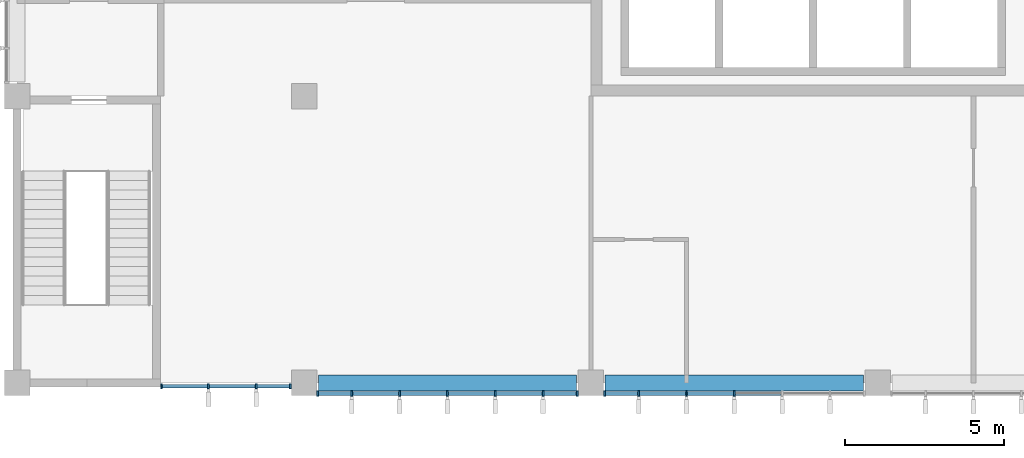
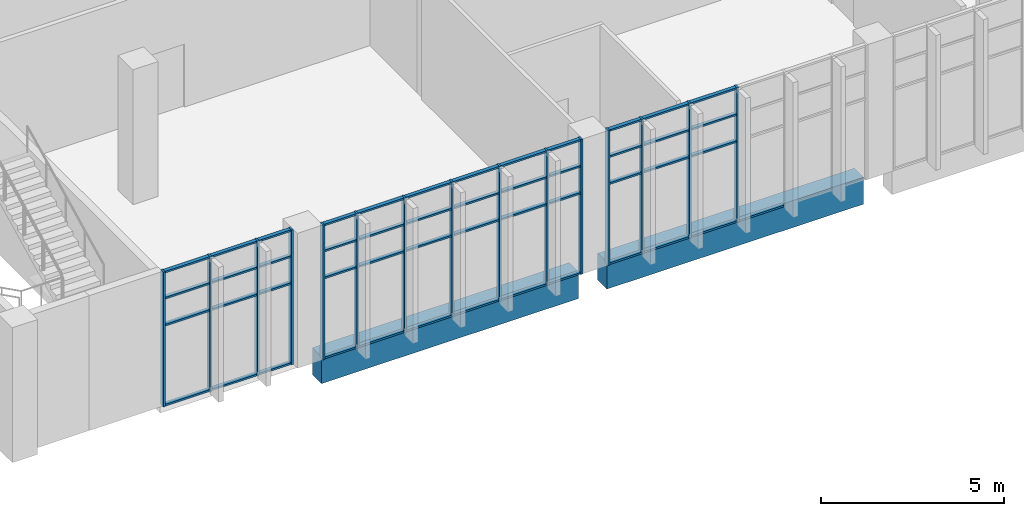
# One storey, part 10 of 40: 64 members, 2 beams, 3 elements without a shape of their own.
"""IFC4 building model written with IfcOpenShell, lengths in metres."""

from ifc_helpers import new_model, si_unit, direction, frame, origin, origin_2d, place, context, subcontext, project, spatial, rectangle, extrude, material, layer, layer_set, material_profile, profile_set, type_object, element, aggregate, save


model = new_model("IFC4")

# Units and contexts
model_context = context("Model", 3, precision=1e-05, world=origin(), true_north=direction((0.0, 1.0)))
body_context = subcontext(model_context, "Body", "Model", "MODEL_VIEW")
ifc_project = project(units=[si_unit("LENGTHUNIT", "METRE"), si_unit("AREAUNIT", "SQUARE_METRE"), si_unit("VOLUMEUNIT", "CUBIC_METRE"), si_unit("PLANEANGLEUNIT", "RADIAN"), si_unit("MASSUNIT", "GRAM", prefix="KILO")], contexts=[model_context])

# Site, building, storey
site_placement = place(None, origin())
site = spatial("IfcSite", under=ifc_project, at=site_placement, CompositionType="ELEMENT")
building_placement = place(site_placement, origin())
building = spatial("IfcBuilding", under=site, at=building_placement, Name="Guidao Yard Department Store", CompositionType="ELEMENT")
storey_placement = place(building_placement, frame((0.0, 0.0, 24.0)))
storey = spatial("IfcBuildingStorey", under=building, at=storey_placement, Name="L05", CompositionType="ELEMENT", Elevation=24.0)

# Curtain wall, members
ifc_material_1 = material(Name="Aluminium and glass", Category="aluminium")
ifc_layer = layer(ifc_material_1, 0.159912109375)
ifc_layer_set = layer_set([ifc_layer], Name="Unitised curtain wall CW4 1500 module")
curtain_wall_type = type_object("IfcCurtainWallType", Name="Unitised curtain wall CW4 1500 module", PredefinedType="NOTDEFINED", material=ifc_layer_set)
curtain_wall_1_placement = place(storey_placement, origin())
curtain_wall_1 = element("IfcCurtainWall", 1, at=curtain_wall_1_placement, inside=storey, type_object=curtain_wall_type, Name="Unitised curtain wall", PredefinedType="NOTDEFINED")
ifc_material_2 = material(Name="Aluminium 6063-T5", Category="aluminium")
ifc_material_profile_1 = material_profile(ifc_material_2, rectangle(XDim=0.06005859375, YDim=0.159912109375, at=origin_2d()), Name="Mullion M1 60 x 160 aluminium pressure plate")
ifc_profile_set_1 = profile_set([ifc_material_profile_1], Name="Aluminium 6063-T5")
member_type_1 = type_object("IfcMemberType", Name="Mullion M1 60 x 160 aluminium pressure plate", PredefinedType="MULLION", material=ifc_profile_set_1)
member_1_placement = place(storey_placement, frame((130.530029296875, -0.10009765625, 0.0), z_axis=(0.0, 0.0, 1.0), x_axis=(-1.0, 0.0, 0.0)))
member_1 = element("IfcMember", 2, at=member_1_placement, type_object=member_type_1, Name="CW-OW-L05-01 mullion 1", PredefinedType="MULLION", context=body_context, shape_type="SweptSolid", body=[
    extrude(rectangle(XDim=0.06005859375, YDim=0.159912109375, at=origin_2d()), origin(), (0.0, 0.0, 1.0), 4.5),
])
member_2_placement = place(storey_placement, frame((132.0, -0.10009765625, 0.0), z_axis=(0.0, 0.0, 1.0), x_axis=(-1.0, 0.0, 0.0)))
member_2 = element("IfcMember", 3, at=member_2_placement, type_object=member_type_1, Name="CW-OW-L05-01 mullion 2", PredefinedType="MULLION", context=body_context, shape_type="SweptSolid", body=[
    extrude(rectangle(XDim=0.06005859375, YDim=0.159912109375, at=origin_2d()), origin(), (0.0, 0.0, 1.0), 4.5),
])
member_3_placement = place(storey_placement, frame((133.5, -0.10009765625, 0.0), z_axis=(0.0, 0.0, 1.0), x_axis=(-1.0, 0.0, 0.0)))
member_3 = element("IfcMember", 4, at=member_3_placement, type_object=member_type_1, Name="CW-OW-L05-01 mullion 3", PredefinedType="MULLION", context=body_context, shape_type="SweptSolid", body=[
    extrude(rectangle(XDim=0.06005859375, YDim=0.159912109375, at=origin_2d()), origin(), (0.0, 0.0, 1.0), 4.5),
])
member_4_placement = place(storey_placement, frame((134.570068359375, -0.10009765625, 0.0), z_axis=(0.0, 0.0, 1.0), x_axis=(-1.0, 0.0, 0.0)))
member_4 = element("IfcMember", 5, at=member_4_placement, type_object=member_type_1, Name="CW-OW-L05-01 mullion 4", PredefinedType="MULLION", context=body_context, shape_type="SweptSolid", body=[
    extrude(rectangle(XDim=0.06005859375, YDim=0.159912109375, at=origin_2d()), origin(), (0.0, 0.0, 1.0), 4.5),
])

curtain_wall_2_placement = place(storey_placement, origin())
curtain_wall_2 = element("IfcCurtainWall", 6, at=curtain_wall_2_placement, inside=storey, type_object=curtain_wall_type, Name="Unitised curtain wall", PredefinedType="NOTDEFINED")
member_5_placement = place(storey_placement, frame((135.429931640625, -0.330078125, 0.0), z_axis=(0.0, 0.0, 1.0), x_axis=(-1.0, 0.0, 0.0)))
member_5 = element("IfcMember", 7, at=member_5_placement, type_object=member_type_1, Name="CW-OW-L05-02 mullion 1", PredefinedType="MULLION", context=body_context, shape_type="SweptSolid", body=[
    extrude(rectangle(XDim=0.06005859375, YDim=0.159912109375, at=origin_2d()), origin(), (0.0, 0.0, 1.0), 4.5),
])
member_6_placement = place(storey_placement, frame((136.5, -0.330078125, 0.0), z_axis=(0.0, 0.0, 1.0), x_axis=(-1.0, 0.0, 0.0)))
member_6 = element("IfcMember", 8, at=member_6_placement, type_object=member_type_1, Name="CW-OW-L05-02 mullion 2", PredefinedType="MULLION", context=body_context, shape_type="SweptSolid", body=[
    extrude(rectangle(XDim=0.06005859375, YDim=0.159912109375, at=origin_2d()), origin(), (0.0, 0.0, 1.0), 4.5),
])
member_7_placement = place(storey_placement, frame((138.0, -0.330078125, 0.0), z_axis=(0.0, 0.0, 1.0), x_axis=(-1.0, 0.0, 0.0)))
member_7 = element("IfcMember", 9, at=member_7_placement, type_object=member_type_1, Name="CW-OW-L05-02 mullion 3", PredefinedType="MULLION", context=body_context, shape_type="SweptSolid", body=[
    extrude(rectangle(XDim=0.06005859375, YDim=0.159912109375, at=origin_2d()), origin(), (0.0, 0.0, 1.0), 4.5),
])
member_8_placement = place(storey_placement, frame((139.5, -0.330078125, 0.0), z_axis=(0.0, 0.0, 1.0), x_axis=(-1.0, 0.0, 0.0)))
member_8 = element("IfcMember", 10, at=member_8_placement, type_object=member_type_1, Name="CW-OW-L05-02 mullion 4", PredefinedType="MULLION", context=body_context, shape_type="SweptSolid", body=[
    extrude(rectangle(XDim=0.06005859375, YDim=0.159912109375, at=origin_2d()), origin(), (0.0, 0.0, 1.0), 4.5),
])
member_9_placement = place(storey_placement, frame((141.0, -0.330078125, 0.0), z_axis=(0.0, 0.0, 1.0), x_axis=(-1.0, 0.0, 0.0)))
member_9 = element("IfcMember", 11, at=member_9_placement, type_object=member_type_1, Name="CW-OW-L05-02 mullion 5", PredefinedType="MULLION", context=body_context, shape_type="SweptSolid", body=[
    extrude(rectangle(XDim=0.06005859375, YDim=0.159912109375, at=origin_2d()), origin(), (0.0, 0.0, 1.0), 4.5),
])
member_10_placement = place(storey_placement, frame((142.5, -0.330078125, 0.0), z_axis=(0.0, 0.0, 1.0), x_axis=(-1.0, 0.0, 0.0)))
member_10 = element("IfcMember", 12, at=member_10_placement, type_object=member_type_1, Name="CW-OW-L05-02 mullion 6", PredefinedType="MULLION", context=body_context, shape_type="SweptSolid", body=[
    extrude(rectangle(XDim=0.06005859375, YDim=0.159912109375, at=origin_2d()), origin(), (0.0, 0.0, 1.0), 4.5),
])
member_11_placement = place(storey_placement, frame((143.570068359375, -0.330078125, 0.0), z_axis=(0.0, 0.0, 1.0), x_axis=(-1.0, 0.0, 0.0)))
member_11 = element("IfcMember", 13, at=member_11_placement, type_object=member_type_1, Name="CW-OW-L05-02 mullion 7", PredefinedType="MULLION", context=body_context, shape_type="SweptSolid", body=[
    extrude(rectangle(XDim=0.06005859375, YDim=0.159912109375, at=origin_2d()), origin(), (0.0, 0.0, 1.0), 4.5),
])

curtain_wall_3_placement = place(storey_placement, origin())
curtain_wall_3 = element("IfcCurtainWall", 14, at=curtain_wall_3_placement, inside=storey, type_object=curtain_wall_type, Name="Unitised curtain wall", PredefinedType="NOTDEFINED")
member_12_placement = place(storey_placement, frame((144.429931640625, -0.330078125, 0.0), z_axis=(0.0, 0.0, 1.0), x_axis=(-1.0, 0.0, 0.0)))
member_12 = element("IfcMember", 15, at=member_12_placement, type_object=member_type_1, Name="CW-OW-L05-03 mullion 1", PredefinedType="MULLION", context=body_context, shape_type="SweptSolid", body=[
    extrude(rectangle(XDim=0.06005859375, YDim=0.159912109375, at=origin_2d()), origin(), (0.0, 0.0, 1.0), 4.5),
])
member_13_placement = place(storey_placement, frame((145.5, -0.330078125, 0.0), z_axis=(0.0, 0.0, 1.0), x_axis=(-1.0, 0.0, 0.0)))
member_13 = element("IfcMember", 16, at=member_13_placement, type_object=member_type_1, Name="CW-OW-L05-03 mullion 2", PredefinedType="MULLION", context=body_context, shape_type="SweptSolid", body=[
    extrude(rectangle(XDim=0.06005859375, YDim=0.159912109375, at=origin_2d()), origin(), (0.0, 0.0, 1.0), 4.5),
])
member_14_placement = place(storey_placement, frame((147.0, -0.330078125, 0.0), z_axis=(0.0, 0.0, 1.0), x_axis=(-1.0, 0.0, 0.0)))
member_14 = element("IfcMember", 17, at=member_14_placement, type_object=member_type_1, Name="CW-OW-L05-03 mullion 3", PredefinedType="MULLION", context=body_context, shape_type="SweptSolid", body=[
    extrude(rectangle(XDim=0.06005859375, YDim=0.159912109375, at=origin_2d()), origin(), (0.0, 0.0, 1.0), 4.5),
])
member_15_placement = place(storey_placement, frame((148.5, -0.330078125, 0.0), z_axis=(0.0, 0.0, 1.0), x_axis=(-1.0, 0.0, 0.0)))
member_15 = element("IfcMember", 18, at=member_15_placement, type_object=member_type_1, Name="CW-OW-L05-03 mullion 4", PredefinedType="MULLION", context=body_context, shape_type="SweptSolid", body=[
    extrude(rectangle(XDim=0.06005859375, YDim=0.159912109375, at=origin_2d()), origin(), (0.0, 0.0, 1.0), 4.5),
])

# Beams
ifc_material_3 = material(Name="Concrete C40", Category="concrete")
ifc_material_profile_2 = material_profile(ifc_material_3, rectangle(XDim=0.5, YDim=0.89990234375, at=origin_2d()), Name="Spandrel beam 500 x 900 C40")
ifc_profile_set_2 = profile_set([ifc_material_profile_2], Name="Concrete C40")
beam_type = type_object("IfcBeamType", Name="Spandrel beam 500 x 900 C40", PredefinedType="SPANDREL", material=ifc_profile_set_2)
for number, where, z_axis, x_axis, name in (
    (19, (135.449951171875, 0.0, -0.449951171875), (1.0, 0.0, 0.0), (0.0, 1.0, 0.0), "Beam FB01"),
    (20, (144.449951171875, 0.0, -0.449951171875), (1.0, 0.0, 0.0), (0.0, 1.0, 0.0), "Beam FB02"),
):
    element("IfcBeam", number, at=place(storey_placement, frame(where, z_axis=z_axis, x_axis=x_axis)), inside=storey, type_object=beam_type, Name=name, PredefinedType="SPANDREL", context=body_context, shape_type="SweptSolid", body=[
        extrude(rectangle(XDim=0.5, YDim=0.89990234375, at=origin_2d()), origin(), (0.0, 0.0, 1.0), 8.10009765625),
    ])

# Member
ifc_material_4 = material(Name="Aluminium 6063-T5", Category="aluminium")
ifc_material_profile_3 = material_profile(ifc_material_4, rectangle(XDim=0.1201171875, YDim=0.06005859375, at=origin_2d()), Name="Transom T1 60 x 120 aluminium pressure plate")
ifc_profile_set_3 = profile_set([ifc_material_profile_3], Name="Aluminium 6063-T5")
member_type_2 = type_object("IfcMemberType", Name="Transom T1 60 x 120 aluminium pressure plate", PredefinedType="USERDEFINED", material=ifc_profile_set_3)
member_16_placement = place(storey_placement, frame((131.969970703125, -0.10009765625, 0.030029296875), z_axis=(-1.0, 0.0, 0.0), x_axis=(0.0, -1.0, 0.0)))
member_16 = element("IfcMember", 21, at=member_16_placement, type_object=member_type_2, Name="CW-OW-L05-01 transom 1.1", ObjectType="TRANSOM", PredefinedType="USERDEFINED", context=body_context, shape_type="SweptSolid", body=[
    extrude(rectangle(XDim=0.1201171875, YDim=0.06005859375, at=origin_2d()), origin(), (0.0, 0.0, 1.0), 1.409912109375),
])

member_17_placement = place(storey_placement, frame((131.969970703125, -0.10009765625, 2.699951171875), z_axis=(-1.0, 0.0, 0.0), x_axis=(0.0, -1.0, 0.0)))
member_17 = element("IfcMember", 22, at=member_17_placement, type_object=member_type_2, Name="CW-OW-L05-01 transom 1.2", ObjectType="TRANSOM", PredefinedType="USERDEFINED", context=body_context, shape_type="SweptSolid", body=[
    extrude(rectangle(XDim=0.1201171875, YDim=0.06005859375, at=origin_2d()), origin(), (0.0, 0.0, 1.0), 1.409912109375),
])

member_18_placement = place(storey_placement, frame((131.969970703125, -0.10009765625, 3.60009765625), z_axis=(-1.0, 0.0, 0.0), x_axis=(0.0, -1.0, 0.0)))
member_18 = element("IfcMember", 23, at=member_18_placement, type_object=member_type_2, Name="CW-OW-L05-01 transom 1.3", ObjectType="TRANSOM", PredefinedType="USERDEFINED", context=body_context, shape_type="SweptSolid", body=[
    extrude(rectangle(XDim=0.1201171875, YDim=0.06005859375, at=origin_2d()), origin(), (0.0, 0.0, 1.0), 1.409912109375),
])

member_19_placement = place(storey_placement, frame((131.969970703125, -0.10009765625, 4.469970703125), z_axis=(-1.0, 0.0, 0.0), x_axis=(0.0, -1.0, 0.0)))
member_19 = element("IfcMember", 24, at=member_19_placement, type_object=member_type_2, Name="CW-OW-L05-01 transom 1.4", ObjectType="TRANSOM", PredefinedType="USERDEFINED", context=body_context, shape_type="SweptSolid", body=[
    extrude(rectangle(XDim=0.1201171875, YDim=0.06005859375, at=origin_2d()), origin(), (0.0, 0.0, 1.0), 1.409912109375),
])

member_20_placement = place(storey_placement, frame((133.469970703125, -0.10009765625, 0.030029296875), z_axis=(-1.0, 0.0, 0.0), x_axis=(0.0, -1.0, 0.0)))
member_20 = element("IfcMember", 25, at=member_20_placement, type_object=member_type_2, Name="CW-OW-L05-01 transom 2.1", ObjectType="TRANSOM", PredefinedType="USERDEFINED", context=body_context, shape_type="SweptSolid", body=[
    extrude(rectangle(XDim=0.1201171875, YDim=0.06005859375, at=origin_2d()), origin(), (0.0, 0.0, 1.0), 1.43994140625),
])

member_21_placement = place(storey_placement, frame((133.469970703125, -0.10009765625, 2.699951171875), z_axis=(-1.0, 0.0, 0.0), x_axis=(0.0, -1.0, 0.0)))
member_21 = element("IfcMember", 26, at=member_21_placement, type_object=member_type_2, Name="CW-OW-L05-01 transom 2.2", ObjectType="TRANSOM", PredefinedType="USERDEFINED", context=body_context, shape_type="SweptSolid", body=[
    extrude(rectangle(XDim=0.1201171875, YDim=0.06005859375, at=origin_2d()), origin(), (0.0, 0.0, 1.0), 1.43994140625),
])

member_22_placement = place(storey_placement, frame((133.469970703125, -0.10009765625, 3.60009765625), z_axis=(-1.0, 0.0, 0.0), x_axis=(0.0, -1.0, 0.0)))
member_22 = element("IfcMember", 27, at=member_22_placement, type_object=member_type_2, Name="CW-OW-L05-01 transom 2.3", ObjectType="TRANSOM", PredefinedType="USERDEFINED", context=body_context, shape_type="SweptSolid", body=[
    extrude(rectangle(XDim=0.1201171875, YDim=0.06005859375, at=origin_2d()), origin(), (0.0, 0.0, 1.0), 1.43994140625),
])

member_23_placement = place(storey_placement, frame((133.469970703125, -0.10009765625, 4.469970703125), z_axis=(-1.0, 0.0, 0.0), x_axis=(0.0, -1.0, 0.0)))
member_23 = element("IfcMember", 28, at=member_23_placement, type_object=member_type_2, Name="CW-OW-L05-01 transom 2.4", ObjectType="TRANSOM", PredefinedType="USERDEFINED", context=body_context, shape_type="SweptSolid", body=[
    extrude(rectangle(XDim=0.1201171875, YDim=0.06005859375, at=origin_2d()), origin(), (0.0, 0.0, 1.0), 1.43994140625),
])

member_24_placement = place(storey_placement, frame((134.5400390625, -0.10009765625, 0.030029296875), z_axis=(-1.0, 0.0, 0.0), x_axis=(0.0, -1.0, 0.0)))
member_24 = element("IfcMember", 29, at=member_24_placement, type_object=member_type_2, Name="CW-OW-L05-01 transom 3.1", ObjectType="TRANSOM", PredefinedType="USERDEFINED", context=body_context, shape_type="SweptSolid", body=[
    extrude(rectangle(XDim=0.1201171875, YDim=0.06005859375, at=origin_2d()), origin(), (0.0, 0.0, 1.0), 1.010009765625),
])

member_25_placement = place(storey_placement, frame((134.5400390625, -0.10009765625, 2.699951171875), z_axis=(-1.0, 0.0, 0.0), x_axis=(0.0, -1.0, 0.0)))
member_25 = element("IfcMember", 30, at=member_25_placement, type_object=member_type_2, Name="CW-OW-L05-01 transom 3.2", ObjectType="TRANSOM", PredefinedType="USERDEFINED", context=body_context, shape_type="SweptSolid", body=[
    extrude(rectangle(XDim=0.1201171875, YDim=0.06005859375, at=origin_2d()), origin(), (0.0, 0.0, 1.0), 1.010009765625),
])

member_26_placement = place(storey_placement, frame((134.5400390625, -0.10009765625, 3.60009765625), z_axis=(-1.0, 0.0, 0.0), x_axis=(0.0, -1.0, 0.0)))
member_26 = element("IfcMember", 31, at=member_26_placement, type_object=member_type_2, Name="CW-OW-L05-01 transom 3.3", ObjectType="TRANSOM", PredefinedType="USERDEFINED", context=body_context, shape_type="SweptSolid", body=[
    extrude(rectangle(XDim=0.1201171875, YDim=0.06005859375, at=origin_2d()), origin(), (0.0, 0.0, 1.0), 1.010009765625),
])

member_27_placement = place(storey_placement, frame((134.5400390625, -0.10009765625, 4.469970703125), z_axis=(-1.0, 0.0, 0.0), x_axis=(0.0, -1.0, 0.0)))
member_27 = element("IfcMember", 32, at=member_27_placement, type_object=member_type_2, Name="CW-OW-L05-01 transom 3.4", ObjectType="TRANSOM", PredefinedType="USERDEFINED", context=body_context, shape_type="SweptSolid", body=[
    extrude(rectangle(XDim=0.1201171875, YDim=0.06005859375, at=origin_2d()), origin(), (0.0, 0.0, 1.0), 1.010009765625),
])

aggregate(curtain_wall_1, [member_1, member_2, member_3, member_4, member_16, member_17, member_18, member_19, member_20, member_21, member_22, member_23, member_24, member_25, member_26, member_27])

member_28_placement = place(storey_placement, frame((136.469970703125, -0.330078125, 0.030029296875), z_axis=(-1.0, 0.0, 0.0), x_axis=(0.0, -1.0, 0.0)))
member_28 = element("IfcMember", 33, at=member_28_placement, type_object=member_type_2, Name="CW-OW-L05-02 transom 1.1", ObjectType="TRANSOM", PredefinedType="USERDEFINED", context=body_context, shape_type="SweptSolid", body=[
    extrude(rectangle(XDim=0.1201171875, YDim=0.06005859375, at=origin_2d()), origin(), (0.0, 0.0, 1.0), 1.010009765625),
])

member_29_placement = place(storey_placement, frame((136.469970703125, -0.330078125, 2.699951171875), z_axis=(-1.0, 0.0, 0.0), x_axis=(0.0, -1.0, 0.0)))
member_29 = element("IfcMember", 34, at=member_29_placement, type_object=member_type_2, Name="CW-OW-L05-02 transom 1.2", ObjectType="TRANSOM", PredefinedType="USERDEFINED", context=body_context, shape_type="SweptSolid", body=[
    extrude(rectangle(XDim=0.1201171875, YDim=0.06005859375, at=origin_2d()), origin(), (0.0, 0.0, 1.0), 1.010009765625),
])

member_30_placement = place(storey_placement, frame((136.469970703125, -0.330078125, 3.60009765625), z_axis=(-1.0, 0.0, 0.0), x_axis=(0.0, -1.0, 0.0)))
member_30 = element("IfcMember", 35, at=member_30_placement, type_object=member_type_2, Name="CW-OW-L05-02 transom 1.3", ObjectType="TRANSOM", PredefinedType="USERDEFINED", context=body_context, shape_type="SweptSolid", body=[
    extrude(rectangle(XDim=0.1201171875, YDim=0.06005859375, at=origin_2d()), origin(), (0.0, 0.0, 1.0), 1.010009765625),
])

member_31_placement = place(storey_placement, frame((136.469970703125, -0.330078125, 4.469970703125), z_axis=(-1.0, 0.0, 0.0), x_axis=(0.0, -1.0, 0.0)))
member_31 = element("IfcMember", 36, at=member_31_placement, type_object=member_type_2, Name="CW-OW-L05-02 transom 1.4", ObjectType="TRANSOM", PredefinedType="USERDEFINED", context=body_context, shape_type="SweptSolid", body=[
    extrude(rectangle(XDim=0.1201171875, YDim=0.06005859375, at=origin_2d()), origin(), (0.0, 0.0, 1.0), 1.010009765625),
])

member_32_placement = place(storey_placement, frame((137.969970703125, -0.330078125, 0.030029296875), z_axis=(-1.0, 0.0, 0.0), x_axis=(0.0, -1.0, 0.0)))
member_32 = element("IfcMember", 37, at=member_32_placement, type_object=member_type_2, Name="CW-OW-L05-02 transom 2.1", ObjectType="TRANSOM", PredefinedType="USERDEFINED", context=body_context, shape_type="SweptSolid", body=[
    extrude(rectangle(XDim=0.1201171875, YDim=0.06005859375, at=origin_2d()), origin(), (0.0, 0.0, 1.0), 1.43994140625),
])

member_33_placement = place(storey_placement, frame((137.969970703125, -0.330078125, 2.699951171875), z_axis=(-1.0, 0.0, 0.0), x_axis=(0.0, -1.0, 0.0)))
member_33 = element("IfcMember", 38, at=member_33_placement, type_object=member_type_2, Name="CW-OW-L05-02 transom 2.2", ObjectType="TRANSOM", PredefinedType="USERDEFINED", context=body_context, shape_type="SweptSolid", body=[
    extrude(rectangle(XDim=0.1201171875, YDim=0.06005859375, at=origin_2d()), origin(), (0.0, 0.0, 1.0), 1.43994140625),
])

member_34_placement = place(storey_placement, frame((137.969970703125, -0.330078125, 3.60009765625), z_axis=(-1.0, 0.0, 0.0), x_axis=(0.0, -1.0, 0.0)))
member_34 = element("IfcMember", 39, at=member_34_placement, type_object=member_type_2, Name="CW-OW-L05-02 transom 2.3", ObjectType="TRANSOM", PredefinedType="USERDEFINED", context=body_context, shape_type="SweptSolid", body=[
    extrude(rectangle(XDim=0.1201171875, YDim=0.06005859375, at=origin_2d()), origin(), (0.0, 0.0, 1.0), 1.43994140625),
])

member_35_placement = place(storey_placement, frame((137.969970703125, -0.330078125, 4.469970703125), z_axis=(-1.0, 0.0, 0.0), x_axis=(0.0, -1.0, 0.0)))
member_35 = element("IfcMember", 40, at=member_35_placement, type_object=member_type_2, Name="CW-OW-L05-02 transom 2.4", ObjectType="TRANSOM", PredefinedType="USERDEFINED", context=body_context, shape_type="SweptSolid", body=[
    extrude(rectangle(XDim=0.1201171875, YDim=0.06005859375, at=origin_2d()), origin(), (0.0, 0.0, 1.0), 1.43994140625),
])

member_36_placement = place(storey_placement, frame((139.469970703125, -0.330078125, 0.030029296875), z_axis=(-1.0, 0.0, 0.0), x_axis=(0.0, -1.0, 0.0)))
member_36 = element("IfcMember", 41, at=member_36_placement, type_object=member_type_2, Name="CW-OW-L05-02 transom 3.1", ObjectType="TRANSOM", PredefinedType="USERDEFINED", context=body_context, shape_type="SweptSolid", body=[
    extrude(rectangle(XDim=0.1201171875, YDim=0.06005859375, at=origin_2d()), origin(), (0.0, 0.0, 1.0), 1.43994140625),
])

member_37_placement = place(storey_placement, frame((139.469970703125, -0.330078125, 2.699951171875), z_axis=(-1.0, 0.0, 0.0), x_axis=(0.0, -1.0, 0.0)))
member_37 = element("IfcMember", 42, at=member_37_placement, type_object=member_type_2, Name="CW-OW-L05-02 transom 3.2", ObjectType="TRANSOM", PredefinedType="USERDEFINED", context=body_context, shape_type="SweptSolid", body=[
    extrude(rectangle(XDim=0.1201171875, YDim=0.06005859375, at=origin_2d()), origin(), (0.0, 0.0, 1.0), 1.43994140625),
])

member_38_placement = place(storey_placement, frame((139.469970703125, -0.330078125, 3.60009765625), z_axis=(-1.0, 0.0, 0.0), x_axis=(0.0, -1.0, 0.0)))
member_38 = element("IfcMember", 43, at=member_38_placement, type_object=member_type_2, Name="CW-OW-L05-02 transom 3.3", ObjectType="TRANSOM", PredefinedType="USERDEFINED", context=body_context, shape_type="SweptSolid", body=[
    extrude(rectangle(XDim=0.1201171875, YDim=0.06005859375, at=origin_2d()), origin(), (0.0, 0.0, 1.0), 1.43994140625),
])

member_39_placement = place(storey_placement, frame((139.469970703125, -0.330078125, 4.469970703125), z_axis=(-1.0, 0.0, 0.0), x_axis=(0.0, -1.0, 0.0)))
member_39 = element("IfcMember", 44, at=member_39_placement, type_object=member_type_2, Name="CW-OW-L05-02 transom 3.4", ObjectType="TRANSOM", PredefinedType="USERDEFINED", context=body_context, shape_type="SweptSolid", body=[
    extrude(rectangle(XDim=0.1201171875, YDim=0.06005859375, at=origin_2d()), origin(), (0.0, 0.0, 1.0), 1.43994140625),
])

member_40_placement = place(storey_placement, frame((140.969970703125, -0.330078125, 0.030029296875), z_axis=(-1.0, 0.0, 0.0), x_axis=(0.0, -1.0, 0.0)))
member_40 = element("IfcMember", 45, at=member_40_placement, type_object=member_type_2, Name="CW-OW-L05-02 transom 4.1", ObjectType="TRANSOM", PredefinedType="USERDEFINED", context=body_context, shape_type="SweptSolid", body=[
    extrude(rectangle(XDim=0.1201171875, YDim=0.06005859375, at=origin_2d()), origin(), (0.0, 0.0, 1.0), 1.43994140625),
])

member_41_placement = place(storey_placement, frame((140.969970703125, -0.330078125, 2.699951171875), z_axis=(-1.0, 0.0, 0.0), x_axis=(0.0, -1.0, 0.0)))
member_41 = element("IfcMember", 46, at=member_41_placement, type_object=member_type_2, Name="CW-OW-L05-02 transom 4.2", ObjectType="TRANSOM", PredefinedType="USERDEFINED", context=body_context, shape_type="SweptSolid", body=[
    extrude(rectangle(XDim=0.1201171875, YDim=0.06005859375, at=origin_2d()), origin(), (0.0, 0.0, 1.0), 1.43994140625),
])

member_42_placement = place(storey_placement, frame((140.969970703125, -0.330078125, 3.60009765625), z_axis=(-1.0, 0.0, 0.0), x_axis=(0.0, -1.0, 0.0)))
member_42 = element("IfcMember", 47, at=member_42_placement, type_object=member_type_2, Name="CW-OW-L05-02 transom 4.3", ObjectType="TRANSOM", PredefinedType="USERDEFINED", context=body_context, shape_type="SweptSolid", body=[
    extrude(rectangle(XDim=0.1201171875, YDim=0.06005859375, at=origin_2d()), origin(), (0.0, 0.0, 1.0), 1.43994140625),
])

member_43_placement = place(storey_placement, frame((140.969970703125, -0.330078125, 4.469970703125), z_axis=(-1.0, 0.0, 0.0), x_axis=(0.0, -1.0, 0.0)))
member_43 = element("IfcMember", 48, at=member_43_placement, type_object=member_type_2, Name="CW-OW-L05-02 transom 4.4", ObjectType="TRANSOM", PredefinedType="USERDEFINED", context=body_context, shape_type="SweptSolid", body=[
    extrude(rectangle(XDim=0.1201171875, YDim=0.06005859375, at=origin_2d()), origin(), (0.0, 0.0, 1.0), 1.43994140625),
])

member_44_placement = place(storey_placement, frame((142.469970703125, -0.330078125, 0.030029296875), z_axis=(-1.0, 0.0, 0.0), x_axis=(0.0, -1.0, 0.0)))
member_44 = element("IfcMember", 49, at=member_44_placement, type_object=member_type_2, Name="CW-OW-L05-02 transom 5.1", ObjectType="TRANSOM", PredefinedType="USERDEFINED", context=body_context, shape_type="SweptSolid", body=[
    extrude(rectangle(XDim=0.1201171875, YDim=0.06005859375, at=origin_2d()), origin(), (0.0, 0.0, 1.0), 1.43994140625),
])

member_45_placement = place(storey_placement, frame((142.469970703125, -0.330078125, 2.699951171875), z_axis=(-1.0, 0.0, 0.0), x_axis=(0.0, -1.0, 0.0)))
member_45 = element("IfcMember", 50, at=member_45_placement, type_object=member_type_2, Name="CW-OW-L05-02 transom 5.2", ObjectType="TRANSOM", PredefinedType="USERDEFINED", context=body_context, shape_type="SweptSolid", body=[
    extrude(rectangle(XDim=0.1201171875, YDim=0.06005859375, at=origin_2d()), origin(), (0.0, 0.0, 1.0), 1.43994140625),
])

member_46_placement = place(storey_placement, frame((142.469970703125, -0.330078125, 3.60009765625), z_axis=(-1.0, 0.0, 0.0), x_axis=(0.0, -1.0, 0.0)))
member_46 = element("IfcMember", 51, at=member_46_placement, type_object=member_type_2, Name="CW-OW-L05-02 transom 5.3", ObjectType="TRANSOM", PredefinedType="USERDEFINED", context=body_context, shape_type="SweptSolid", body=[
    extrude(rectangle(XDim=0.1201171875, YDim=0.06005859375, at=origin_2d()), origin(), (0.0, 0.0, 1.0), 1.43994140625),
])

member_47_placement = place(storey_placement, frame((142.469970703125, -0.330078125, 4.469970703125), z_axis=(-1.0, 0.0, 0.0), x_axis=(0.0, -1.0, 0.0)))
member_47 = element("IfcMember", 52, at=member_47_placement, type_object=member_type_2, Name="CW-OW-L05-02 transom 5.4", ObjectType="TRANSOM", PredefinedType="USERDEFINED", context=body_context, shape_type="SweptSolid", body=[
    extrude(rectangle(XDim=0.1201171875, YDim=0.06005859375, at=origin_2d()), origin(), (0.0, 0.0, 1.0), 1.43994140625),
])

member_48_placement = place(storey_placement, frame((143.5400390625, -0.330078125, 0.030029296875), z_axis=(-1.0, 0.0, 0.0), x_axis=(0.0, -1.0, 0.0)))
member_48 = element("IfcMember", 53, at=member_48_placement, type_object=member_type_2, Name="CW-OW-L05-02 transom 6.1", ObjectType="TRANSOM", PredefinedType="USERDEFINED", context=body_context, shape_type="SweptSolid", body=[
    extrude(rectangle(XDim=0.1201171875, YDim=0.06005859375, at=origin_2d()), origin(), (0.0, 0.0, 1.0), 1.010009765625),
])

member_49_placement = place(storey_placement, frame((143.5400390625, -0.330078125, 2.699951171875), z_axis=(-1.0, 0.0, 0.0), x_axis=(0.0, -1.0, 0.0)))
member_49 = element("IfcMember", 54, at=member_49_placement, type_object=member_type_2, Name="CW-OW-L05-02 transom 6.2", ObjectType="TRANSOM", PredefinedType="USERDEFINED", context=body_context, shape_type="SweptSolid", body=[
    extrude(rectangle(XDim=0.1201171875, YDim=0.06005859375, at=origin_2d()), origin(), (0.0, 0.0, 1.0), 1.010009765625),
])

member_50_placement = place(storey_placement, frame((143.5400390625, -0.330078125, 3.60009765625), z_axis=(-1.0, 0.0, 0.0), x_axis=(0.0, -1.0, 0.0)))
member_50 = element("IfcMember", 55, at=member_50_placement, type_object=member_type_2, Name="CW-OW-L05-02 transom 6.3", ObjectType="TRANSOM", PredefinedType="USERDEFINED", context=body_context, shape_type="SweptSolid", body=[
    extrude(rectangle(XDim=0.1201171875, YDim=0.06005859375, at=origin_2d()), origin(), (0.0, 0.0, 1.0), 1.010009765625),
])

member_51_placement = place(storey_placement, frame((143.5400390625, -0.330078125, 4.469970703125), z_axis=(-1.0, 0.0, 0.0), x_axis=(0.0, -1.0, 0.0)))
member_51 = element("IfcMember", 56, at=member_51_placement, type_object=member_type_2, Name="CW-OW-L05-02 transom 6.4", ObjectType="TRANSOM", PredefinedType="USERDEFINED", context=body_context, shape_type="SweptSolid", body=[
    extrude(rectangle(XDim=0.1201171875, YDim=0.06005859375, at=origin_2d()), origin(), (0.0, 0.0, 1.0), 1.010009765625),
])

aggregate(curtain_wall_2, [member_5, member_6, member_7, member_8, member_9, member_10, member_11, member_28, member_29, member_30, member_31, member_32, member_33, member_34, member_35, member_36, member_37, member_38, member_39, member_40, member_41, member_42, member_43, member_44, member_45, member_46, member_47, member_48, member_49, member_50, member_51])

member_52_placement = place(storey_placement, frame((145.469970703125, -0.330078125, 0.030029296875), z_axis=(-1.0, 0.0, 0.0), x_axis=(0.0, -1.0, 0.0)))
member_52 = element("IfcMember", 57, at=member_52_placement, type_object=member_type_2, Name="CW-OW-L05-03 transom 1.1", ObjectType="TRANSOM", PredefinedType="USERDEFINED", context=body_context, shape_type="SweptSolid", body=[
    extrude(rectangle(XDim=0.1201171875, YDim=0.06005859375, at=origin_2d()), origin(), (0.0, 0.0, 1.0), 1.010009765625),
])

member_53_placement = place(storey_placement, frame((145.469970703125, -0.330078125, 2.699951171875), z_axis=(-1.0, 0.0, 0.0), x_axis=(0.0, -1.0, 0.0)))
member_53 = element("IfcMember", 58, at=member_53_placement, type_object=member_type_2, Name="CW-OW-L05-03 transom 1.2", ObjectType="TRANSOM", PredefinedType="USERDEFINED", context=body_context, shape_type="SweptSolid", body=[
    extrude(rectangle(XDim=0.1201171875, YDim=0.06005859375, at=origin_2d()), origin(), (0.0, 0.0, 1.0), 1.010009765625),
])

member_54_placement = place(storey_placement, frame((145.469970703125, -0.330078125, 3.60009765625), z_axis=(-1.0, 0.0, 0.0), x_axis=(0.0, -1.0, 0.0)))
member_54 = element("IfcMember", 59, at=member_54_placement, type_object=member_type_2, Name="CW-OW-L05-03 transom 1.3", ObjectType="TRANSOM", PredefinedType="USERDEFINED", context=body_context, shape_type="SweptSolid", body=[
    extrude(rectangle(XDim=0.1201171875, YDim=0.06005859375, at=origin_2d()), origin(), (0.0, 0.0, 1.0), 1.010009765625),
])

member_55_placement = place(storey_placement, frame((145.469970703125, -0.330078125, 4.469970703125), z_axis=(-1.0, 0.0, 0.0), x_axis=(0.0, -1.0, 0.0)))
member_55 = element("IfcMember", 60, at=member_55_placement, type_object=member_type_2, Name="CW-OW-L05-03 transom 1.4", ObjectType="TRANSOM", PredefinedType="USERDEFINED", context=body_context, shape_type="SweptSolid", body=[
    extrude(rectangle(XDim=0.1201171875, YDim=0.06005859375, at=origin_2d()), origin(), (0.0, 0.0, 1.0), 1.010009765625),
])

member_56_placement = place(storey_placement, frame((146.969970703125, -0.330078125, 0.030029296875), z_axis=(-1.0, 0.0, 0.0), x_axis=(0.0, -1.0, 0.0)))
member_56 = element("IfcMember", 61, at=member_56_placement, type_object=member_type_2, Name="CW-OW-L05-03 transom 2.1", ObjectType="TRANSOM", PredefinedType="USERDEFINED", context=body_context, shape_type="SweptSolid", body=[
    extrude(rectangle(XDim=0.1201171875, YDim=0.06005859375, at=origin_2d()), origin(), (0.0, 0.0, 1.0), 1.43994140625),
])

member_57_placement = place(storey_placement, frame((146.969970703125, -0.330078125, 2.699951171875), z_axis=(-1.0, 0.0, 0.0), x_axis=(0.0, -1.0, 0.0)))
member_57 = element("IfcMember", 62, at=member_57_placement, type_object=member_type_2, Name="CW-OW-L05-03 transom 2.2", ObjectType="TRANSOM", PredefinedType="USERDEFINED", context=body_context, shape_type="SweptSolid", body=[
    extrude(rectangle(XDim=0.1201171875, YDim=0.06005859375, at=origin_2d()), origin(), (0.0, 0.0, 1.0), 1.43994140625),
])

member_58_placement = place(storey_placement, frame((146.969970703125, -0.330078125, 3.60009765625), z_axis=(-1.0, 0.0, 0.0), x_axis=(0.0, -1.0, 0.0)))
member_58 = element("IfcMember", 63, at=member_58_placement, type_object=member_type_2, Name="CW-OW-L05-03 transom 2.3", ObjectType="TRANSOM", PredefinedType="USERDEFINED", context=body_context, shape_type="SweptSolid", body=[
    extrude(rectangle(XDim=0.1201171875, YDim=0.06005859375, at=origin_2d()), origin(), (0.0, 0.0, 1.0), 1.43994140625),
])

member_59_placement = place(storey_placement, frame((146.969970703125, -0.330078125, 4.469970703125), z_axis=(-1.0, 0.0, 0.0), x_axis=(0.0, -1.0, 0.0)))
member_59 = element("IfcMember", 64, at=member_59_placement, type_object=member_type_2, Name="CW-OW-L05-03 transom 2.4", ObjectType="TRANSOM", PredefinedType="USERDEFINED", context=body_context, shape_type="SweptSolid", body=[
    extrude(rectangle(XDim=0.1201171875, YDim=0.06005859375, at=origin_2d()), origin(), (0.0, 0.0, 1.0), 1.43994140625),
])

member_60_placement = place(storey_placement, frame((148.469970703125, -0.330078125, 0.030029296875), z_axis=(-1.0, 0.0, 0.0), x_axis=(0.0, -1.0, 0.0)))
member_60 = element("IfcMember", 65, at=member_60_placement, type_object=member_type_2, Name="CW-OW-L05-03 transom 3.1", ObjectType="TRANSOM", PredefinedType="USERDEFINED", context=body_context, shape_type="SweptSolid", body=[
    extrude(rectangle(XDim=0.1201171875, YDim=0.06005859375, at=origin_2d()), origin(), (0.0, 0.0, 1.0), 1.43994140625),
])

member_61_placement = place(storey_placement, frame((148.469970703125, -0.330078125, 2.699951171875), z_axis=(-1.0, 0.0, 0.0), x_axis=(0.0, -1.0, 0.0)))
member_61 = element("IfcMember", 66, at=member_61_placement, type_object=member_type_2, Name="CW-OW-L05-03 transom 3.2", ObjectType="TRANSOM", PredefinedType="USERDEFINED", context=body_context, shape_type="SweptSolid", body=[
    extrude(rectangle(XDim=0.1201171875, YDim=0.06005859375, at=origin_2d()), origin(), (0.0, 0.0, 1.0), 1.43994140625),
])

member_62_placement = place(storey_placement, frame((148.469970703125, -0.330078125, 3.60009765625), z_axis=(-1.0, 0.0, 0.0), x_axis=(0.0, -1.0, 0.0)))
member_62 = element("IfcMember", 67, at=member_62_placement, type_object=member_type_2, Name="CW-OW-L05-03 transom 3.3", ObjectType="TRANSOM", PredefinedType="USERDEFINED", context=body_context, shape_type="SweptSolid", body=[
    extrude(rectangle(XDim=0.1201171875, YDim=0.06005859375, at=origin_2d()), origin(), (0.0, 0.0, 1.0), 1.43994140625),
])

member_63_placement = place(storey_placement, frame((148.469970703125, -0.330078125, 4.469970703125), z_axis=(-1.0, 0.0, 0.0), x_axis=(0.0, -1.0, 0.0)))
member_63 = element("IfcMember", 68, at=member_63_placement, type_object=member_type_2, Name="CW-OW-L05-03 transom 3.4", ObjectType="TRANSOM", PredefinedType="USERDEFINED", context=body_context, shape_type="SweptSolid", body=[
    extrude(rectangle(XDim=0.1201171875, YDim=0.06005859375, at=origin_2d()), origin(), (0.0, 0.0, 1.0), 1.43994140625),
])

member_64_placement = place(storey_placement, frame((149.969970703125, -0.330078125, 0.030029296875), z_axis=(-1.0, 0.0, 0.0), x_axis=(0.0, -1.0, 0.0)))
member_64 = element("IfcMember", 69, at=member_64_placement, type_object=member_type_2, Name="CW-OW-L05-03 transom 4.1", ObjectType="TRANSOM", PredefinedType="USERDEFINED", context=body_context, shape_type="SweptSolid", body=[
    extrude(rectangle(XDim=0.1201171875, YDim=0.06005859375, at=origin_2d()), origin(), (0.0, 0.0, 1.0), 1.43994140625),
])

aggregate(curtain_wall_3, [member_12, member_13, member_14, member_15, member_52, member_53, member_54, member_55, member_56, member_57, member_58, member_59, member_60, member_61, member_62, member_63, member_64])

save(model, "model.ifc")
